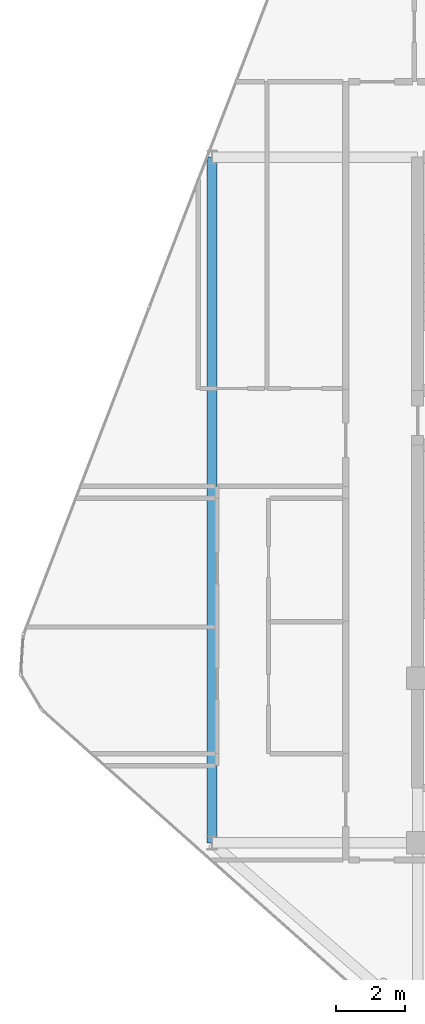
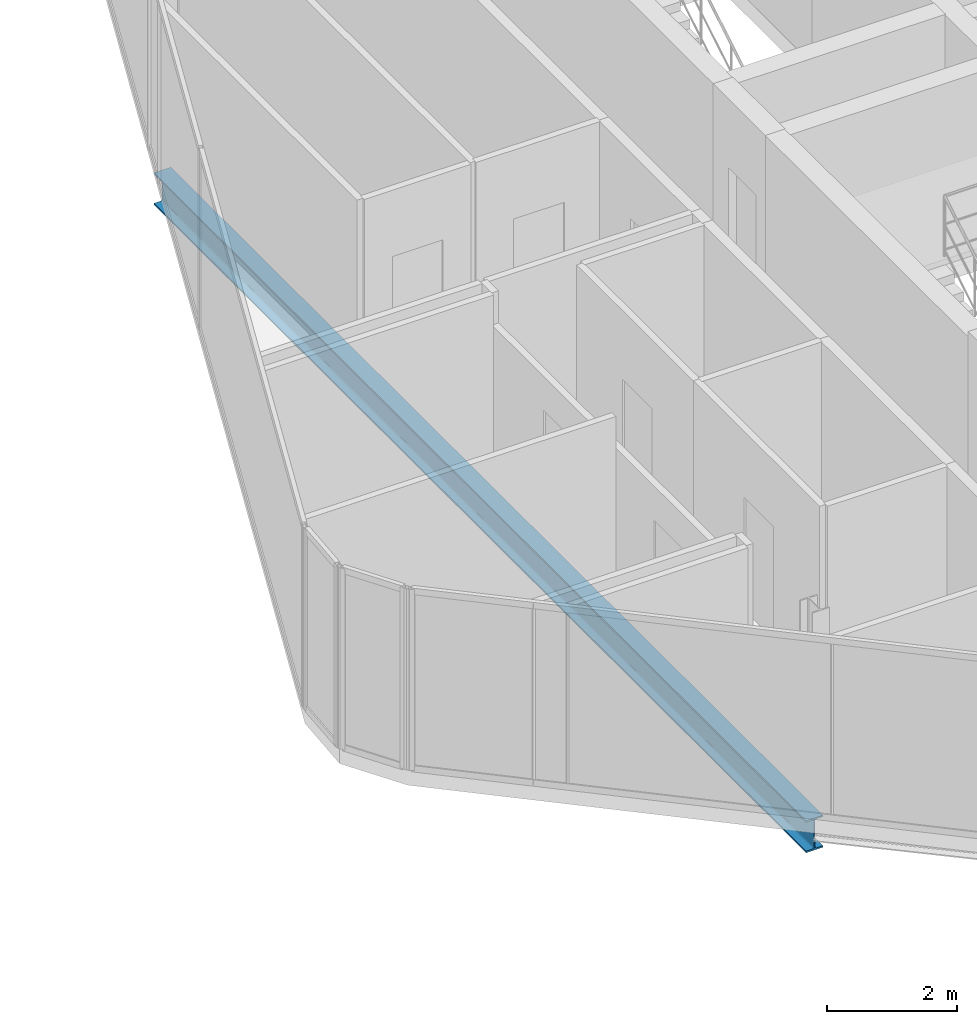
# One storey, part 9 of 27: 1 beam.
"""IFC4 building model written with IfcOpenShell, lengths in metres."""

import ifcopenshell
import ifcopenshell.guid

model = None  # the IFC model being written
_history = None  # IfcOwnerHistory: only IFC2X3 demands one
_inside = {}  # id of a spatial element -> (the spatial element, [elements in it])
_under = {}  # id of a project, library or spatial element -> (it, [spatial elements below it])
_declared = {}  # id of a project -> (the project, [libraries it declares])
_typed = {}  # id of a type object -> (the type object, [elements of that type])
_made_of = {}  # id of a material, layer set ... -> (it, [elements and type objects made of it])


def new_model(schema):
    """Start an empty IFC model of exactly this schema.

    Asked for "IFC4X3", IfcOpenShell would pick the latest addendum, in which some entities
    have other attributes; the version numbers below select the first issue.
    IFC2X3 requires an IfcOwnerHistory on every rooted entity: one is made here for all.
    """
    global model, _history
    if schema == "IFC4X3":
        model = ifcopenshell.file(schema_version=(4, 3, 0, 0))
    else:
        model = ifcopenshell.file(schema=schema)
    _inside.clear()
    _under.clear()
    _declared.clear()
    _typed.clear()
    _made_of.clear()
    _history = None
    if model.schema == "IFC2X3":
        org = make("IfcOrganization", Name="unknown")
        user = make(
            "IfcPersonAndOrganization",
            ThePerson=make("IfcPerson", FamilyName="unknown"),
            TheOrganization=org,
        )
        app = make(
            "IfcApplication",
            ApplicationDeveloper=org,
            Version="unknown",
            ApplicationFullName="unknown",
            ApplicationIdentifier="unknown",
        )
        _history = make(
            "IfcOwnerHistory",
            OwningUser=user,
            OwningApplication=app,
            ChangeAction="ADDED",
            CreationDate=0,
        )
    return model


def make(cls, **values):
    """One entity of the class cls with the attributes given. An attribute that is None is left unset."""
    return model.create_entity(
        cls, **{name: value for name, value in values.items() if value is not None}
    )


def rooted(cls, **values):
    """An entity with a GlobalId (a new one), such as an element, a storey or a relation."""
    return make(cls, GlobalId=ifcopenshell.guid.new(), OwnerHistory=_history, **values)


def si_unit(unit_type, name, prefix=None):
    """IfcSIUnit, for example si_unit("LENGTHUNIT", "METRE", prefix="MILLI")."""
    return make("IfcSIUnit", UnitType=unit_type, Prefix=prefix, Name=name)


def assignment(units):
    """IfcUnitAssignment: the units of a project."""
    return None if units is None else make("IfcUnitAssignment", Units=units)


def point(xyz):
    """IfcCartesianPoint."""
    return None if xyz is None else make("IfcCartesianPoint", Coordinates=xyz)


def direction(xyz):
    """IfcDirection."""
    return None if xyz is None else make("IfcDirection", DirectionRatios=xyz)


def frame(location, z_axis=None, x_axis=None):
    """IfcAxis2Placement3D, a coordinate frame: its origin and axes. An axis left out is left unset."""
    return make(
        "IfcAxis2Placement3D",
        Location=point(location),
        Axis=direction(z_axis),
        RefDirection=direction(x_axis),
    )


def frame_2d(location, x_axis=None):
    """IfcAxis2Placement2D, a coordinate frame in the plane: its origin and x axis."""
    return make(
        "IfcAxis2Placement2D", Location=point(location), RefDirection=direction(x_axis)
    )


def origin():
    """The frame at (0, 0, 0) with its axes left unset."""
    return frame((0.0, 0.0, 0.0))


def origin_2d():
    """The frame at (0, 0) in the plane with its x axis left unset."""
    return frame_2d((0.0, 0.0))


def place(relative_to, where):
    """IfcLocalPlacement: puts the frame where relative to a parent placement (None: the world)."""
    return make(
        "IfcLocalPlacement", PlacementRelTo=relative_to, RelativePlacement=where
    )


def context(
    kind, dimensions, precision=None, world=None, true_north=None, identifier=None
):
    """IfcGeometricRepresentationContext, for example the 3D "Model" context."""
    return make(
        "IfcGeometricRepresentationContext",
        ContextIdentifier=identifier,
        ContextType=kind,
        CoordinateSpaceDimension=dimensions,
        Precision=precision,
        WorldCoordinateSystem=world,
        TrueNorth=true_north,
    )


def subcontext(parent, identifier, kind, view, scale=None):
    """IfcGeometricRepresentationSubContext, for example "Body" below "Model"."""
    return make(
        "IfcGeometricRepresentationSubContext",
        ContextIdentifier=identifier,
        ContextType=kind,
        ParentContext=parent,
        TargetScale=scale,
        TargetView=view,
    )


def project(units=None, contexts=None):
    """IfcProject with its units and contexts."""
    return rooted(
        "IfcProject",
        Name="project",
        RepresentationContexts=contexts,
        UnitsInContext=assignment(units),
    )


def spatial(cls, under=None, at=None, **own):
    """A site, building, storey or space (cls), placed at a placement, below another one or the project."""
    s = rooted(cls, ObjectPlacement=at, **own)
    if under is not None:
        _under.setdefault(under.id(), (under, []))[1].append(s)
    return s


def profile(cls, at=None, kind="AREA", **sizes):
    """A parametric profile (cls). Its sizes go by their IFC names, for example OverallWidth=200.0."""
    return make(cls, ProfileType=kind, Position=at, **sizes)


def i_section(**sizes):
    """IfcIShapeProfileDef."""
    return profile("IfcIShapeProfileDef", **sizes)


def extrude(swept, where, along, depth):
    """IfcExtrudedAreaSolid: the profile swept, set in the frame where, extruded along a direction by depth."""
    return make(
        "IfcExtrudedAreaSolid",
        SweptArea=swept,
        Position=where,
        ExtrudedDirection=direction(along),
        Depth=depth,
    )


def shape(context_of_items, identifier, shape_type, items):
    """IfcShapeRepresentation: the items that make up one representation, for example the "Body"."""
    return make(
        "IfcShapeRepresentation",
        ContextOfItems=context_of_items,
        RepresentationIdentifier=identifier,
        RepresentationType=shape_type,
        Items=items,
    )


def material(Name=None, Category=None):
    """IfcMaterial."""
    return make("IfcMaterial", Name=Name, Category=Category)


def material_profile(
    of_material, cross_section, Name=None, Category=None, Priority=None
):
    """IfcMaterialProfile: a cross section and its material."""
    return make(
        "IfcMaterialProfile",
        Name=Name,
        Material=of_material,
        Profile=cross_section,
        Priority=Priority,
        Category=Category,
    )


def profile_set(profiles, Name=None, composite=None):
    """IfcMaterialProfileSet."""
    return make(
        "IfcMaterialProfileSet",
        Name=Name,
        MaterialProfiles=profiles,
        CompositeProfile=composite,
    )


def made_of(thing, what):
    """Note that an element or type object is made of a material, layer set ...; save() writes the relation."""
    if what is not None:
        _made_of.setdefault(what.id(), (what, []))[1].append(thing)
    return thing


def type_object(cls, material=None, **own):
    """A type object (cls), such as IfcWallType, which elements share."""
    return made_of(rooted(cls, **own), material)


def element(
    cls,
    number,
    at=None,
    inside=None,
    cuts=None,
    type_object=None,
    material=None,
    context=None,
    identifier="Body",
    shape_type=None,
    held_by="IfcProductDefinitionShape",
    body=None,
    shapes=None,
    **own,
):
    """One element of the class cls, such as IfcWall. Its Tag is "e" and its number.

    at: its placement. inside: the storey or other place that contains it. cuts: it is an
    opening in that element (IfcRelVoidsElement). A single representation is given by context,
    identifier, shape_type and body (its items); several are given by shapes. held_by: the class
    of the entity that holds the representations. save() writes the other relations.
    """
    e = rooted(cls, Tag="e%d" % number, ObjectPlacement=at, **own)
    if body is not None:
        shapes = [shape(context, identifier, shape_type, body)]
    if shapes is not None:
        e.Representation = make(held_by, Representations=shapes)
    if inside is not None:
        _inside.setdefault(inside.id(), (inside, []))[1].append(e)
    if cuts is not None:
        rooted(
            "IfcRelVoidsElement", RelatingBuildingElement=cuts, RelatedOpeningElement=e
        )
    if type_object is not None:
        _typed.setdefault(type_object.id(), (type_object, []))[1].append(e)
    return made_of(e, material)


def aggregate(whole, parts):
    """IfcRelAggregates: a whole, such as a stair, and the parts it consists of."""
    return rooted("IfcRelAggregates", RelatingObject=whole, RelatedObjects=parts)


def save(model, path):
    """Write the relations noted so far, then the file.

    IfcRelAggregates (storeys below a building ...), IfcRelContainedInSpatialStructure (elements
    in a storey), IfcRelDefinesByType, IfcRelAssociatesMaterial and IfcRelDeclares: one each for
    every whole, place, type object, material and project.
    """
    for whole, parts in _under.values():
        aggregate(whole, parts)
    for where, things in _inside.values():
        rooted(
            "IfcRelContainedInSpatialStructure",
            RelatedElements=things,
            RelatingStructure=where,
        )
    for kind, things in _typed.values():
        rooted("IfcRelDefinesByType", RelatedObjects=things, RelatingType=kind)
    for what, things in _made_of.values():
        rooted("IfcRelAssociatesMaterial", RelatedObjects=things, RelatingMaterial=what)
    for by, libraries in _declared.values():
        rooted("IfcRelDeclares", RelatingContext=by, RelatedDefinitions=libraries)
    model.write(path)


model = new_model("IFC4")

# Units and contexts
model_context = context("Model", 3, precision=1e-05, world=origin(), true_north=direction((0.0, 1.0)))
body_context = subcontext(model_context, "Body", "Model", "MODEL_VIEW")
ifc_project = project(units=[si_unit("LENGTHUNIT", "METRE"), si_unit("AREAUNIT", "SQUARE_METRE"), si_unit("VOLUMEUNIT", "CUBIC_METRE"), si_unit("PLANEANGLEUNIT", "RADIAN"), si_unit("MASSUNIT", "GRAM", prefix="KILO")], contexts=[model_context])

# Site, building, storey
site_placement = place(None, origin())
site = spatial("IfcSite", under=ifc_project, at=site_placement, CompositionType="ELEMENT")
building_placement = place(site_placement, origin())
building = spatial("IfcBuilding", under=site, at=building_placement, Name="Keshet Zoharim Tower", CompositionType="ELEMENT")
storey_placement = place(building_placement, frame((0.0, 0.0, 284.300048828125)))
storey = spatial("IfcBuildingStorey", under=building, at=storey_placement, Name="L71", CompositionType="ELEMENT", Elevation=284.300048828125)

# Beam
ifc_material = material(Name="Steel S355", Category="steel")
ifc_material_profile = material_profile(ifc_material, i_section(OverallWidth=0.300048828125, OverallDepth=0.60009765625, WebThickness=0.015380859375, FlangeThickness=0.030029296875, FilletRadius=0.027099609375, at=origin_2d()), Name="HEB600")
ifc_profile_set = profile_set([ifc_material_profile], Name="Steel S355")
beam_type = type_object("IfcBeamType", Name="BM-LNG-HB600", PredefinedType="BEAM", material=ifc_profile_set)
beam_placement = place(storey_placement, frame((9.0, 17.89990234375, -0.610107421875), z_axis=(0.0, 1.0, 0.0), x_axis=(-1.0, 0.0, 0.0)))
element("IfcBeam", 1, at=beam_placement, inside=storey, type_object=beam_type, Name="L71 Primary Girder Y-001", PredefinedType="BEAM", context=body_context, shape_type="SweptSolid", body=[
    extrude(i_section(OverallWidth=0.300048828125, OverallDepth=0.60009765625, WebThickness=0.015380859375, FlangeThickness=0.030029296875, FilletRadius=0.027099609375, at=origin_2d()), origin(), (0.0, 0.0, 1.0), 20.0),
])

save(model, "model.ifc")
